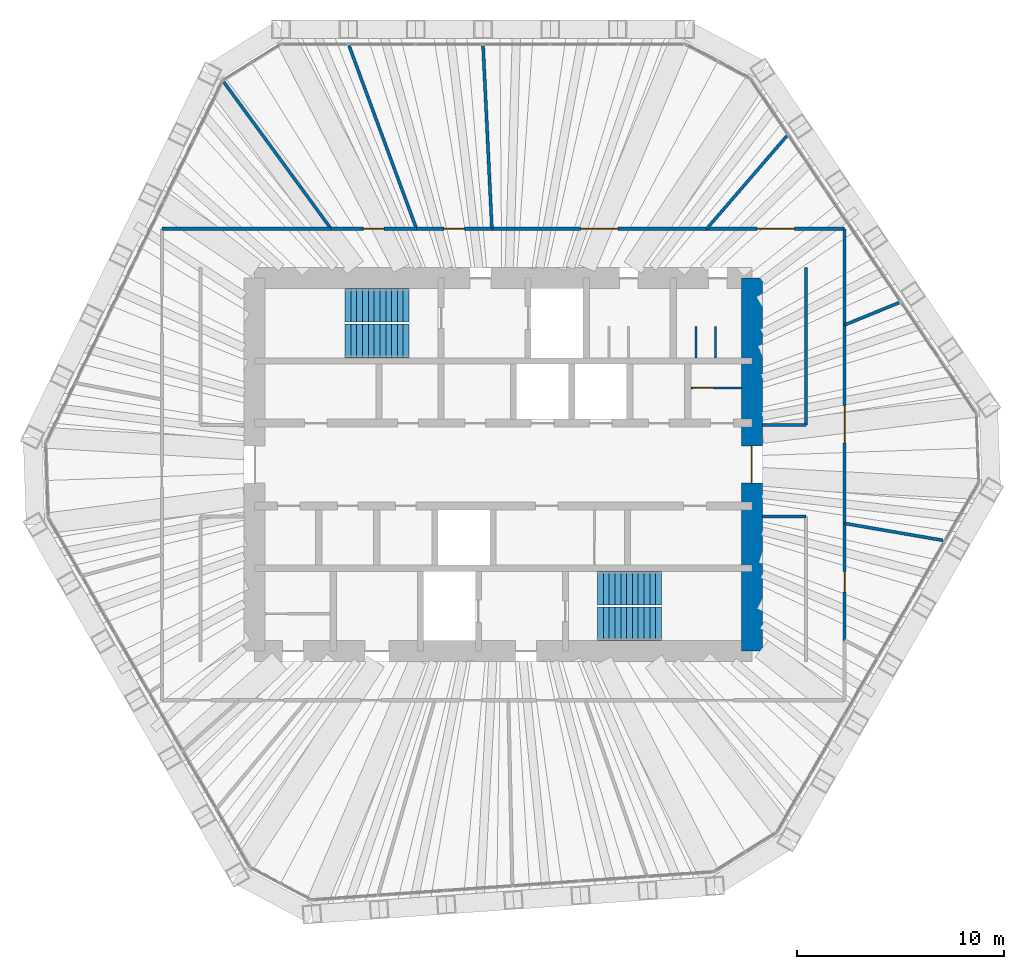
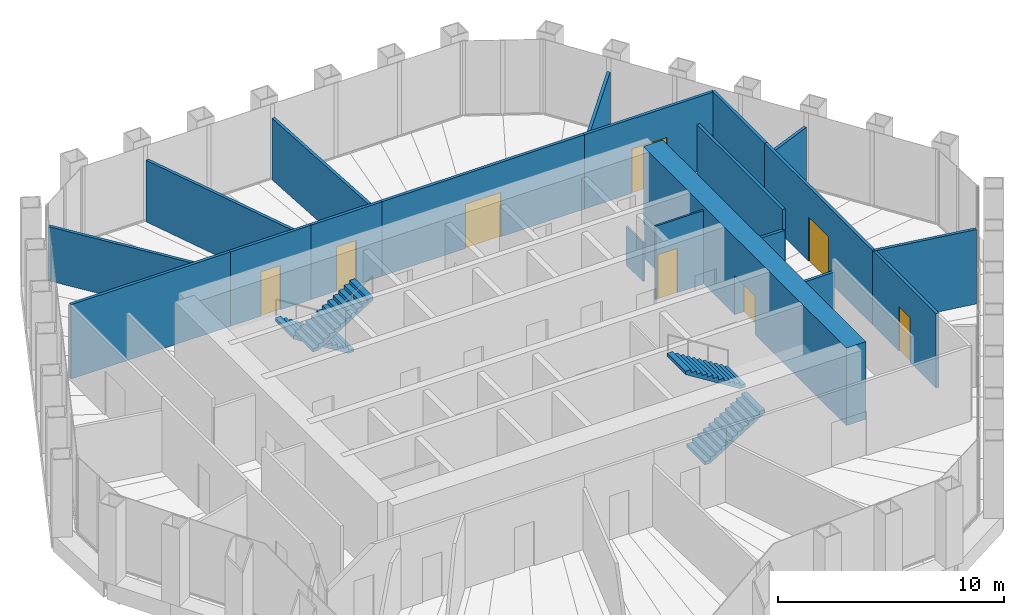
# One storey, part 13 of 14: 21 walls, 8 doors, 4 stair flights, 8 openings, 2 elements without a shape of their own.
"""IFC4 building model written with IfcOpenShell, lengths in metres."""

from ifc_helpers import new_model, si_unit, direction, frame, frame_2d, origin, place, context, subcontext, project, spatial, polyline, rectangle, outline, extrude, material, layer, layer_set, type_object, element, fill, aggregate, save


model = new_model("IFC4")

# Units and contexts
model_context = context("Model", 3, precision=1e-05, world=origin(), true_north=direction((0.0, 1.0)))
body_context = subcontext(model_context, "Body", "Model", "MODEL_VIEW")
ifc_project = project(units=[si_unit("LENGTHUNIT", "METRE"), si_unit("AREAUNIT", "SQUARE_METRE"), si_unit("VOLUMEUNIT", "CUBIC_METRE"), si_unit("PLANEANGLEUNIT", "RADIAN"), si_unit("MASSUNIT", "GRAM", prefix="KILO")], contexts=[model_context])

# Site, building, storey
site_placement = place(None, origin())
site = spatial("IfcSite", under=ifc_project, at=site_placement, CompositionType="ELEMENT")
building_placement = place(site_placement, origin())
building = spatial("IfcBuilding", under=site, at=building_placement, Name="Qingtian Harvest Tower", CompositionType="ELEMENT")
storey_placement = place(building_placement, frame((0.0, 0.0, 266.199951171875)))
storey = spatial("IfcBuildingStorey", under=building, at=storey_placement, Name="L58", CompositionType="ELEMENT", Elevation=266.199951171875)

# Wall, opening, door
ifc_material_1 = material(Name="Concrete fc' 70 MPa", Category="concrete")
ifc_layer_1 = layer(ifc_material_1, 1.0)
ifc_layer_set_1 = layer_set([ifc_layer_1], Name="Core wall RC3 1000")
wall_type_1 = type_object("IfcWallType", Name="Core wall RC3 1000", PredefinedType="SHEAR", material=ifc_layer_set_1)
wall_1_placement = place(storey_placement, frame((12.0, -9.0, 0.0), z_axis=(0.0, 0.0, 1.0), x_axis=(0.0, 1.0, 0.0)))
wall_1 = element("IfcWall", 1, at=wall_1_placement, inside=storey, type_object=wall_type_1, Name="Core wall CE L58", PredefinedType="SHEAR", context=body_context, shape_type="SweptSolid", body=[
    extrude(rectangle(XDim=18.0, YDim=1.0, at=frame_2d((9.0, 0.0))), origin(), (0.0, 0.0, 1.0), 4.199951171875),
])
opening_1_placement = place(wall_1_placement, frame((8.10009765625, 0.0, 0.0)))
opening_1 = element("IfcOpeningElement", 2, at=opening_1_placement, cuts=wall_1, Name="Opening FD2", PredefinedType="OPENING", context=body_context, shape_type="SweptSolid", body=[
    extrude(rectangle(XDim=1.800048828125, YDim=2.10009765625, at=frame_2d((0.89990234375, 1.050048828125))), frame((0.0, 0.510009765625, 0.0), z_axis=(0.0, -1.0, 0.0), x_axis=(1.0, 0.0, 0.0)), (0.0, 0.0, 1.0), 1.02001953125),
])
ifc_material_2 = material(Name="Steel-faced door leaf", Category="steel")
door_type_1 = type_object("IfcDoorType", Name="Fire door FD2 double 1 HR", OperationType="DOUBLE_DOOR_DOUBLE_SWING", PredefinedType="DOOR", material=ifc_material_2)
door_1_placement = place(opening_1_placement, origin())
door_1 = element("IfcDoor", 3, at=door_1_placement, inside=storey, type_object=door_type_1, Name="LOBBY-E door L58", OperationType="DOUBLE_DOOR_DOUBLE_SWING", OverallHeight=2.10009765625, OverallWidth=1.800048828125, PredefinedType="DOOR", context=body_context, shape_type="SweptSolid", body=[
    extrude(rectangle(XDim=1.800048828125, YDim=2.10009765625, at=frame_2d((0.89990234375, 1.050048828125))), frame((0.0, 0.02490234375, 0.0), z_axis=(0.0, -1.0, 0.0), x_axis=(1.0, 0.0, 0.0)), (0.0, 0.0, 1.0), 0.050048828125),
])
fill(opening_1, door_1)

# Walls
ifc_material_3 = material(Name="Gypsum board on steel studs", Category="steel")
ifc_layer_2 = layer(ifc_material_3, 0.14990234375)
ifc_layer_set_2 = layer_set([ifc_layer_2], Name="Partition PT1 150")
wall_type_2 = type_object("IfcWallType", Name="Partition PT1 150", PredefinedType="PARTITIONING", material=ifc_layer_set_2)
wall_2_placement = place(storey_placement, frame((-16.47509765625, 11.375, 0.0), z_axis=(0.0, 0.0, 1.0), x_axis=(1.0, 0.0, 0.0)))
element("IfcWall", 4, at=wall_2_placement, inside=storey, type_object=wall_type_2, Name="Workplace zone wall L58", PredefinedType="PARTITIONING", context=body_context, shape_type="SweptSolid", body=[
    extrude(rectangle(XDim=8.162841796875, YDim=0.14990234375, at=frame_2d((4.08154296875, 0.0))), origin(), (0.0, 0.0, 1.0), 4.030029296875),
])
wall_3_placement = place(storey_placement, frame((-13.486083984375, 18.455322265625, 0.0), z_axis=(0.0, 0.0, 1.0), x_axis=(0.589997742419, -0.807404894672, 0.0)))
element("IfcWall", 5, at=wall_3_placement, inside=storey, type_object=wall_type_2, Name="Store room wall L58", PredefinedType="PARTITIONING", context=body_context, shape_type="SweptSolid", body=[
    extrude(rectangle(XDim=8.769287109375, YDim=0.14990234375, at=frame_2d((4.384765625, 0.0))), origin(), (0.0, 0.0, 1.0), 2.929931640625),
])

# Wall, opening, door
wall_4_placement = place(storey_placement, frame((-8.312255859375, 11.375, 0.0), z_axis=(0.0, 0.0, 1.0), x_axis=(1.0, 0.0, 0.0)))
wall_4 = element("IfcWall", 6, at=wall_4_placement, inside=storey, type_object=wall_type_2, Name="Store room wall L58", PredefinedType="PARTITIONING", context=body_context, shape_type="SweptSolid", body=[
    extrude(rectangle(XDim=4.1240234375, YDim=0.14990234375, at=frame_2d((2.06201171875, 0.0))), origin(), (0.0, 0.0, 1.0), 4.030029296875),
])
opening_2_placement = place(wall_4_placement, frame((1.56201171875, 0.0, 0.0)))
opening_2 = element("IfcOpeningElement", 7, at=opening_2_placement, cuts=wall_4, Name="Opening D2", PredefinedType="OPENING", context=body_context, shape_type="SweptSolid", body=[
    extrude(rectangle(XDim=1.0, YDim=2.39990234375, at=frame_2d((0.5, 1.199951171875))), frame((0.0, 0.0849609375, 0.0), z_axis=(0.0, -1.0, 0.0), x_axis=(1.0, 0.0, 0.0)), (0.0, 0.0, 1.0), 0.169921875),
])
ifc_material_4 = material(Name="Laminated timber door leaf", Category="wood")
door_type_2 = type_object("IfcDoorType", Name="Room door D2 single", OperationType="SINGLE_SWING_LEFT", PredefinedType="DOOR", material=ifc_material_4)
door_2_placement = place(opening_2_placement, origin())
door_2 = element("IfcDoor", 8, at=door_2_placement, inside=storey, type_object=door_type_2, Name="Store room door L58", OperationType="SINGLE_SWING_LEFT", OverallHeight=2.39990234375, OverallWidth=1.0, PredefinedType="DOOR", context=body_context, shape_type="SweptSolid", body=[
    extrude(rectangle(XDim=1.0, YDim=2.39990234375, at=frame_2d((0.5, 1.199951171875))), frame((0.0, 0.02490234375, 0.0), z_axis=(0.0, -1.0, 0.0), x_axis=(1.0, 0.0, 0.0)), (0.0, 0.0, 1.0), 0.050048828125),
])
fill(opening_2, door_2)

# Wall
wall_5_placement = place(storey_placement, frame((-7.439697265625, 20.2060546875, 0.0), z_axis=(0.0, 0.0, 1.0), x_axis=(0.345510588088, -0.938414851502, 0.0)))
element("IfcWall", 9, at=wall_5_placement, inside=storey, type_object=wall_type_2, Name="Quiet room wall L58", PredefinedType="PARTITIONING", context=body_context, shape_type="SweptSolid", body=[
    extrude(rectangle(XDim=9.41064453125, YDim=0.14990234375, at=frame_2d((4.705322265625, 0.0))), origin(), (0.0, 0.0, 1.0), 3.330078125),
])

# Wall, opening, door
wall_6_placement = place(storey_placement, frame((-4.188232421875, 11.375, 0.0), z_axis=(0.0, 0.0, 1.0), x_axis=(1.0, 0.0, 0.0)))
wall_6 = element("IfcWall", 10, at=wall_6_placement, inside=storey, type_object=wall_type_2, Name="Quiet room wall L58", PredefinedType="PARTITIONING", context=body_context, shape_type="SweptSolid", body=[
    extrude(rectangle(XDim=3.64013671875, YDim=0.14990234375, at=frame_2d((1.820068359375, 0.0))), origin(), (0.0, 0.0, 1.0), 4.030029296875),
])
opening_3_placement = place(wall_6_placement, frame((1.320068359375, 0.0, 0.0)))
opening_3 = element("IfcOpeningElement", 11, at=opening_3_placement, cuts=wall_6, Name="Opening D2", PredefinedType="OPENING", context=body_context, shape_type="SweptSolid", body=[
    extrude(rectangle(XDim=1.0, YDim=2.39990234375, at=frame_2d((0.5, 1.199951171875))), frame((0.0, 0.0849609375, 0.0), z_axis=(0.0, -1.0, 0.0), x_axis=(1.0, 0.0, 0.0)), (0.0, 0.0, 1.0), 0.169921875),
])
door_3_placement = place(opening_3_placement, origin())
door_3 = element("IfcDoor", 12, at=door_3_placement, inside=storey, type_object=door_type_2, Name="Quiet room door L58", OperationType="SINGLE_SWING_LEFT", OverallHeight=2.39990234375, OverallWidth=1.0, PredefinedType="DOOR", context=body_context, shape_type="SweptSolid", body=[
    extrude(rectangle(XDim=1.0, YDim=2.39990234375, at=frame_2d((0.5, 1.199951171875))), frame((0.0, 0.02490234375, 0.0), z_axis=(0.0, -1.0, 0.0), x_axis=(1.0, 0.0, 0.0)), (0.0, 0.0, 1.0), 0.050048828125),
])
fill(opening_3, door_3)

# Wall
wall_7_placement = place(storey_placement, frame((-0.973388671875, 20.2001953125, 0.0), z_axis=(0.0, 0.0, 1.0), x_axis=(0.048134910622, -0.998840843368, 0.0)))
element("IfcWall", 13, at=wall_7_placement, inside=storey, type_object=wall_type_2, Name="Workplace zone wall L58", PredefinedType="PARTITIONING", context=body_context, shape_type="SweptSolid", body=[
    extrude(rectangle(XDim=8.83544921875, YDim=0.14990234375, at=frame_2d((4.417724609375, 0.0))), origin(), (0.0, 0.0, 1.0), 3.330078125),
])

# Wall, opening, door
wall_8_placement = place(storey_placement, frame((-0.548095703125, 11.375, 0.0), z_axis=(0.0, 0.0, 1.0), x_axis=(1.0, 0.0, 0.0)))
wall_8 = element("IfcWall", 14, at=wall_8_placement, inside=storey, type_object=wall_type_2, Name="Workplace zone wall L58", PredefinedType="PARTITIONING", context=body_context, shape_type="SweptSolid", body=[
    extrude(rectangle(XDim=10.364501953125, YDim=0.14990234375, at=frame_2d((5.18212890625, 0.0))), origin(), (0.0, 0.0, 1.0), 4.030029296875),
])
opening_4_placement = place(wall_8_placement, frame((4.2822265625, 0.0, 0.0)))
opening_4 = element("IfcOpeningElement", 15, at=opening_4_placement, cuts=wall_8, Name="Opening D3", PredefinedType="OPENING", context=body_context, shape_type="SweptSolid", body=[
    extrude(rectangle(XDim=1.800048828125, YDim=2.39990234375, at=frame_2d((0.89990234375, 1.199951171875))), frame((0.0, 0.0849609375, 0.0), z_axis=(0.0, -1.0, 0.0), x_axis=(1.0, 0.0, 0.0)), (0.0, 0.0, 1.0), 0.169921875),
])
ifc_material_5 = material(Name="Laminated timber door leaf", Category="wood")
door_type_3 = type_object("IfcDoorType", Name="Room door D3 double", OperationType="DOUBLE_DOOR_DOUBLE_SWING", PredefinedType="DOOR", material=ifc_material_5)
door_4_placement = place(opening_4_placement, origin())
door_4 = element("IfcDoor", 16, at=door_4_placement, inside=storey, type_object=door_type_3, Name="Workplace zone door L58", OperationType="DOUBLE_DOOR_DOUBLE_SWING", OverallHeight=2.39990234375, OverallWidth=1.800048828125, PredefinedType="DOOR", context=body_context, shape_type="SweptSolid", body=[
    extrude(rectangle(XDim=1.800048828125, YDim=2.39990234375, at=frame_2d((0.89990234375, 1.199951171875))), frame((0.0, 0.02490234375, 0.0), z_axis=(0.0, -1.0, 0.0), x_axis=(1.0, 0.0, 0.0)), (0.0, 0.0, 1.0), 0.050048828125),
])
fill(opening_4, door_4)

# Wall
wall_9_placement = place(storey_placement, frame((13.678466796875, 15.850341796875, 0.0), z_axis=(0.0, 0.0, 1.0), x_axis=(-0.653328423077, -0.757074614288, 0.0)))
element("IfcWall", 17, at=wall_9_placement, inside=storey, type_object=wall_type_2, Name="Meeting room wall L58", PredefinedType="PARTITIONING", context=body_context, shape_type="SweptSolid", body=[
    extrude(rectangle(XDim=5.911376953125, YDim=0.14990234375, at=frame_2d((2.95556640625, 0.0))), origin(), (0.0, 0.0, 1.0), 3.330078125),
])

# Wall, opening, door
wall_10_placement = place(storey_placement, frame((9.81640625, 11.375, 0.0), z_axis=(0.0, 0.0, 1.0), x_axis=(1.0, 0.0, 0.0)))
wall_10 = element("IfcWall", 18, at=wall_10_placement, inside=storey, type_object=wall_type_2, Name="Meeting room wall L58", PredefinedType="PARTITIONING", context=body_context, shape_type="SweptSolid", body=[
    extrude(rectangle(XDim=6.65869140625, YDim=0.14990234375, at=frame_2d((3.329345703125, 0.0))), origin(), (0.0, 0.0, 1.0), 4.030029296875),
])
opening_5_placement = place(wall_10_placement, frame((2.42919921875, 0.0, 0.0)))
opening_5 = element("IfcOpeningElement", 19, at=opening_5_placement, cuts=wall_10, Name="Opening D3", PredefinedType="OPENING", context=body_context, shape_type="SweptSolid", body=[
    extrude(rectangle(XDim=1.800048828125, YDim=2.39990234375, at=frame_2d((0.89990234375, 1.199951171875))), frame((0.0, 0.0849609375, 0.0), z_axis=(0.0, -1.0, 0.0), x_axis=(1.0, 0.0, 0.0)), (0.0, 0.0, 1.0), 0.169921875),
])
door_5_placement = place(opening_5_placement, origin())
door_5 = element("IfcDoor", 20, at=door_5_placement, inside=storey, type_object=door_type_3, Name="Meeting room door L58", OperationType="DOUBLE_DOOR_DOUBLE_SWING", OverallHeight=2.39990234375, OverallWidth=1.800048828125, PredefinedType="DOOR", context=body_context, shape_type="SweptSolid", body=[
    extrude(rectangle(XDim=1.800048828125, YDim=2.39990234375, at=frame_2d((0.89990234375, 1.199951171875))), frame((0.0, 0.02490234375, 0.0), z_axis=(0.0, -1.0, 0.0), x_axis=(1.0, 0.0, 0.0)), (0.0, 0.0, 1.0), 0.050048828125),
])
fill(opening_5, door_5)

# Walls
wall_11_placement = place(storey_placement, frame((16.47509765625, 11.375, 0.0), z_axis=(0.0, 0.0, 1.0), x_axis=(0.0, -1.0, 0.0)))
element("IfcWall", 21, at=wall_11_placement, inside=storey, type_object=wall_type_2, Name="Meeting room wall L58", PredefinedType="PARTITIONING", context=body_context, shape_type="SweptSolid", body=[
    extrude(rectangle(XDim=4.638427734375, YDim=0.14990234375, at=frame_2d((2.3193359375, 0.0))), origin(), (0.0, 0.0, 1.0), 4.030029296875),
])
wall_12_placement = place(storey_placement, frame((19.10009765625, 7.81005859375, 0.0), z_axis=(0.0, 0.0, 1.0), x_axis=(-0.925593572601, -0.378518874509, 0.0)))
element("IfcWall", 22, at=wall_12_placement, inside=storey, type_object=wall_type_2, Name="Workplace zone wall L58", PredefinedType="PARTITIONING", context=body_context, shape_type="SweptSolid", body=[
    extrude(rectangle(XDim=2.8359375, YDim=0.14990234375, at=frame_2d((1.41796875, 0.0))), origin(), (0.0, 0.0, 1.0), 3.330078125),
])

# Wall, opening, door
wall_13_placement = place(storey_placement, frame((16.47509765625, 6.736572265625, 0.0), z_axis=(0.0, 0.0, 1.0), x_axis=(0.0, -1.0, 0.0)))
wall_13 = element("IfcWall", 23, at=wall_13_placement, inside=storey, type_object=wall_type_2, Name="Workplace zone wall L58", PredefinedType="PARTITIONING", context=body_context, shape_type="SweptSolid", body=[
    extrude(rectangle(XDim=9.578369140625, YDim=0.14990234375, at=frame_2d((4.7890625, 0.0))), origin(), (0.0, 0.0, 1.0), 4.030029296875),
])
opening_6_placement = place(wall_13_placement, frame((3.88916015625, 0.0, 0.0)))
opening_6 = element("IfcOpeningElement", 24, at=opening_6_placement, cuts=wall_13, Name="Opening D3", PredefinedType="OPENING", context=body_context, shape_type="SweptSolid", body=[
    extrude(rectangle(XDim=1.800048828125, YDim=2.39990234375, at=frame_2d((0.89990234375, 1.199951171875))), frame((0.0, 0.0849609375, 0.0), z_axis=(0.0, -1.0, 0.0), x_axis=(1.0, 0.0, 0.0)), (0.0, 0.0, 1.0), 0.169921875),
])
door_6_placement = place(opening_6_placement, origin())
door_6 = element("IfcDoor", 25, at=door_6_placement, inside=storey, type_object=door_type_3, Name="Workplace zone door L58", OperationType="DOUBLE_DOOR_DOUBLE_SWING", OverallHeight=2.39990234375, OverallWidth=1.800048828125, PredefinedType="DOOR", context=body_context, shape_type="SweptSolid", body=[
    extrude(rectangle(XDim=1.800048828125, YDim=2.39990234375, at=frame_2d((0.89990234375, 1.199951171875))), frame((0.0, 0.02490234375, 0.0), z_axis=(0.0, -1.0, 0.0), x_axis=(1.0, 0.0, 0.0)), (0.0, 0.0, 1.0), 0.050048828125),
])
fill(opening_6, door_6)

# Wall
wall_14_placement = place(storey_placement, frame((21.218994140625, -3.66015625, 0.0), z_axis=(0.0, 0.0, 1.0), x_axis=(-0.985444592587, 0.16999692627, 0.0)))
element("IfcWall", 26, at=wall_14_placement, inside=storey, type_object=wall_type_2, Name="Pantry wall L58", PredefinedType="PARTITIONING", context=body_context, shape_type="SweptSolid", body=[
    extrude(rectangle(XDim=4.81396484375, YDim=0.14990234375, at=frame_2d((2.406982421875, 0.0))), origin(), (0.0, 0.0, 1.0), 4.030029296875),
])

# Wall, opening, door
wall_15_placement = place(storey_placement, frame((16.47509765625, -2.841796875, 0.0), z_axis=(0.0, 0.0, 1.0), x_axis=(0.0, -1.0, 0.0)))
wall_15 = element("IfcWall", 27, at=wall_15_placement, inside=storey, type_object=wall_type_2, Name="Pantry wall L58", PredefinedType="PARTITIONING", context=body_context, shape_type="SweptSolid", body=[
    extrude(rectangle(XDim=5.64013671875, YDim=0.14990234375, at=frame_2d((2.820068359375, 0.0))), origin(), (0.0, 0.0, 1.0), 4.030029296875),
])
opening_7_placement = place(wall_15_placement, frame((2.320068359375, 0.0, 0.0)))
opening_7 = element("IfcOpeningElement", 28, at=opening_7_placement, cuts=wall_15, Name="Opening D2", PredefinedType="OPENING", context=body_context, shape_type="SweptSolid", body=[
    extrude(rectangle(XDim=1.0, YDim=2.39990234375, at=frame_2d((0.5, 1.199951171875))), frame((0.0, 0.0849609375, 0.0), z_axis=(0.0, -1.0, 0.0), x_axis=(1.0, 0.0, 0.0)), (0.0, 0.0, 1.0), 0.169921875),
])
door_7_placement = place(opening_7_placement, origin())
door_7 = element("IfcDoor", 29, at=door_7_placement, inside=storey, type_object=door_type_2, Name="Pantry door L58", OperationType="SINGLE_SWING_LEFT", OverallHeight=2.39990234375, OverallWidth=1.0, PredefinedType="DOOR", context=body_context, shape_type="SweptSolid", body=[
    extrude(rectangle(XDim=1.0, YDim=2.39990234375, at=frame_2d((0.5, 1.199951171875))), frame((0.0, 0.02490234375, 0.0), z_axis=(0.0, -1.0, 0.0), x_axis=(1.0, 0.0, 0.0)), (0.0, 0.0, 1.0), 0.050048828125),
])
fill(opening_7, door_7)

# Walls
wall_16_placement = place(storey_placement, frame((14.60009765625, 1.89990234375, 0.0), z_axis=(0.0, 0.0, 1.0), x_axis=(0.0, 1.0, 0.0)))
element("IfcWall", 30, at=wall_16_placement, inside=storey, type_object=wall_type_2, Name="Coffee point wall L58", PredefinedType="PARTITIONING", context=body_context, shape_type="SweptSolid", body=[
    extrude(rectangle(XDim=7.60009765625, YDim=0.14990234375, at=frame_2d((3.800048828125, 0.0))), origin(), (0.0, 0.0, 1.0), 4.030029296875),
])
wall_17_placement = place(storey_placement, frame((12.5, 1.89990234375, 0.0), z_axis=(0.0, 0.0, 1.0), x_axis=(1.0, 0.0, 0.0)))
element("IfcWall", 31, at=wall_17_placement, inside=storey, type_object=wall_type_2, Name="Coffee point wall L58", PredefinedType="PARTITIONING", context=body_context, shape_type="SweptSolid", body=[
    extrude(rectangle(XDim=2.10009765625, YDim=0.14990234375, at=frame_2d((1.050048828125, 0.0))), origin(), (0.0, 0.0, 1.0), 2.929931640625),
])
wall_18_placement = place(storey_placement, frame((12.5, -2.5, 0.0), z_axis=(0.0, 0.0, 1.0), x_axis=(1.0, 0.0, 0.0)))
element("IfcWall", 32, at=wall_18_placement, inside=storey, type_object=wall_type_2, Name="Print area wall L58", PredefinedType="PARTITIONING", context=body_context, shape_type="SweptSolid", body=[
    extrude(rectangle(XDim=2.10009765625, YDim=0.14990234375, at=frame_2d((1.050048828125, 0.0))), origin(), (0.0, 0.0, 1.0), 3.330078125),
])

# Wall, opening, door
ifc_material_6 = material(Name="Concrete block partition", Category="concrete")
ifc_layer_3 = layer(ifc_material_6, 0.10009765625)
ifc_layer_set_3 = layer_set([ifc_layer_3], Name="Store partition PT3 100")
wall_type_3 = type_object("IfcWallType", Name="Store partition PT3 100", PredefinedType="PARTITIONING", material=ifc_layer_set_3)
wall_19_placement = place(storey_placement, frame((9.050048828125, 3.699951171875, 0.0), z_axis=(0.0, 0.0, 1.0), x_axis=(1.0, 0.0, 0.0)))
wall_19 = element("IfcWall", 33, at=wall_19_placement, inside=storey, type_object=wall_type_3, Name="Filter plant room wall L58", PredefinedType="PARTITIONING", context=body_context, shape_type="SweptSolid", body=[
    extrude(rectangle(XDim=2.449951171875, YDim=0.10009765625, at=frame_2d((1.22509765625, 0.0))), origin(), (0.0, 0.0, 1.0), 3.97998046875),
])
opening_8_placement = place(wall_19_placement, frame((0.10009765625, 0.0, 0.0)))
opening_8 = element("IfcOpeningElement", 34, at=opening_8_placement, cuts=wall_19, Name="Opening D2", PredefinedType="OPENING", context=body_context, shape_type="SweptSolid", body=[
    extrude(rectangle(XDim=1.0, YDim=2.39990234375, at=frame_2d((0.5, 1.199951171875))), frame((0.0, 0.06005859375, 0.0), z_axis=(0.0, -1.0, 0.0), x_axis=(1.0, 0.0, 0.0)), (0.0, 0.0, 1.0), 0.1201171875),
])
door_8_placement = place(opening_8_placement, origin())
door_8 = element("IfcDoor", 35, at=door_8_placement, inside=storey, type_object=door_type_2, Name="Filter plant room door L58", OperationType="SINGLE_SWING_RIGHT", OverallHeight=2.39990234375, OverallWidth=1.0, PredefinedType="DOOR", context=body_context, shape_type="SweptSolid", body=[
    extrude(rectangle(XDim=1.0, YDim=2.39990234375, at=frame_2d((0.5, 1.199951171875))), frame((0.0, 0.02490234375, 0.0), z_axis=(0.0, -1.0, 0.0), x_axis=(1.0, 0.0, 0.0)), (0.0, 0.0, 1.0), 0.050048828125),
])
fill(opening_8, door_8)

# Walls
ifc_material_7 = material(Name="Compact laminate cubicle partition", Category="plastic")
ifc_layer_4 = layer(ifc_material_7, 0.10009765625)
ifc_layer_set_4 = layer_set([ifc_layer_4], Name="WC cubicle partition WP1 100")
wall_type_4 = type_object("IfcWallType", Name="WC cubicle partition WP1 100", PredefinedType="PARTITIONING", material=ifc_layer_set_4)
for number, where, z_axis, x_axis, name in (
    (36, (9.300048828125, 5.14990234375, 0.0), (0.0, 0.0, 1.0), (0.0, 1.0, 0.0), "WC cubicle partition WCF L58"),
    (37, (10.25, 5.14990234375, 0.0), (0.0, 0.0, 1.0), (0.0, 1.0, 0.0), "WC cubicle partition WCF L58"),
):
    element("IfcWall", number, at=place(storey_placement, frame(where, z_axis=z_axis, x_axis=x_axis)), inside=storey, type_object=wall_type_4, Name=name, PredefinedType="PARTITIONING", context=body_context, shape_type="SweptSolid", body=[
        extrude(rectangle(XDim=1.5, YDim=0.10009765625, at=frame_2d((0.75, 0.0))), origin(), (0.0, 0.0, 1.0), 2.10009765625),
    ])

# Stair, stair flights
ifc_material_8 = material(Name="Concrete fc' 35 MPa", Category="concrete")
stair_type = type_object("IfcStairType", Name="Special stair ST6 4200", PredefinedType="HALF_TURN_STAIR", material=ifc_material_8)
stair_1_placement = place(storey_placement, origin())
stair_1 = element("IfcStair", 38, at=stair_1_placement, inside=storey, type_object=stair_type, Name="Special stair S1 L58", PredefinedType="HALF_TURN_STAIR")
ifc_material_9 = material(Name="Concrete fc' 35 MPa", Category="concrete")
stair_flight_type = type_object("IfcStairFlightType", Name="Stair flight SF6 4200", PredefinedType="STRAIGHT", material=ifc_material_9)
stair_flight_1_placement = place(storey_placement, frame((-4.550048828125, 7.6875, 0.0), z_axis=(0.0, 0.0, 1.0), x_axis=(-1.0, 0.0, 0.0)))
stair_flight_1 = element("IfcStairFlight", 39, at=stair_flight_1_placement, type_object=stair_flight_type, Name="S1 flight 1", NumberOfRisers=12, NumberOfTreads=11, PredefinedType="STRAIGHT", RiserHeight=0.175, TreadLength=0.28, context=body_context, shape_type="SweptSolid", body=[
    extrude(outline(polyline([(0.0, 0.0), (0.0, 0.175048828125), (0.280029296875, 0.175048828125), (0.280029296875, 0.35009765625), (0.56005859375, 0.35009765625), (0.56005859375, 0.52490234375), (0.840087890625, 0.52490234375), (0.840087890625, 0.699951171875), (1.1201171875, 0.699951171875), (1.1201171875, 0.875), (1.39990234375, 0.875), (1.39990234375, 1.050048828125), (1.679931640625, 1.050048828125), (1.679931640625, 1.22509765625), (1.9599609375, 1.22509765625), (1.9599609375, 1.39990234375), (2.239990234375, 1.39990234375), (2.239990234375, 1.574951171875), (2.52001953125, 1.574951171875), (2.52001953125, 1.75), (2.800048828125, 1.75), (2.800048828125, 1.925048828125), (3.080078125, 1.925048828125), (3.080078125, 2.10009765625), (3.080078125, 1.748291015625), (0.28271484375, 0.0), (0.0, 0.0)])), frame((0.0, 0.8125, 0.0), z_axis=(0.0, -1.0, 0.0), x_axis=(1.0, 0.0, 0.0)), (0.0, 0.0, 1.0), 1.625),
])
stair_flight_2_placement = place(storey_placement, frame((-7.6298828125, 5.96240234375, 2.10009765625), z_axis=(0.0, 0.0, 1.0), x_axis=(1.0, 0.0, 0.0)))
stair_flight_2 = element("IfcStairFlight", 40, at=stair_flight_2_placement, type_object=stair_flight_type, Name="S1 flight 2", NumberOfRisers=12, NumberOfTreads=11, PredefinedType="STRAIGHT", RiserHeight=0.175, TreadLength=0.28, context=body_context, shape_type="SweptSolid", body=[
    extrude(outline(polyline([(0.0, 0.0), (0.0, 0.175048828125), (0.280029296875, 0.175048828125), (0.280029296875, 0.35009765625), (0.56005859375, 0.35009765625), (0.56005859375, 0.52490234375), (0.840087890625, 0.52490234375), (0.840087890625, 0.699951171875), (1.1201171875, 0.699951171875), (1.1201171875, 0.875), (1.39990234375, 0.875), (1.39990234375, 1.050048828125), (1.679931640625, 1.050048828125), (1.679931640625, 1.22509765625), (1.9599609375, 1.22509765625), (1.9599609375, 1.39990234375), (2.239990234375, 1.39990234375), (2.239990234375, 1.574951171875), (2.52001953125, 1.574951171875), (2.52001953125, 1.75), (2.800048828125, 1.75), (2.800048828125, 1.925048828125), (3.080078125, 1.925048828125), (3.080078125, 2.10009765625), (3.080078125, 1.748291015625), (0.28271484375, 0.0), (0.0, 0.0)])), frame((0.0, 0.8125, 0.0), z_axis=(0.0, -1.0, 0.0), x_axis=(1.0, 0.0, 0.0)), (0.0, 0.0, 1.0), 1.625),
])
aggregate(stair_1, [stair_flight_1, stair_flight_2])

stair_2_placement = place(storey_placement, origin())
stair_2 = element("IfcStair", 41, at=stair_2_placement, inside=storey, type_object=stair_type, Name="Special stair S2 L58", PredefinedType="HALF_TURN_STAIR")
stair_flight_3_placement = place(storey_placement, frame((4.550048828125, -7.6875, 0.0), z_axis=(0.0, 0.0, 1.0), x_axis=(1.0, 0.0, 0.0)))
stair_flight_3 = element("IfcStairFlight", 42, at=stair_flight_3_placement, type_object=stair_flight_type, Name="S2 flight 1", NumberOfRisers=12, NumberOfTreads=11, PredefinedType="STRAIGHT", RiserHeight=0.175, TreadLength=0.28, context=body_context, shape_type="SweptSolid", body=[
    extrude(outline(polyline([(0.0, 0.0), (0.0, 0.175048828125), (0.280029296875, 0.175048828125), (0.280029296875, 0.35009765625), (0.56005859375, 0.35009765625), (0.56005859375, 0.52490234375), (0.840087890625, 0.52490234375), (0.840087890625, 0.699951171875), (1.1201171875, 0.699951171875), (1.1201171875, 0.875), (1.39990234375, 0.875), (1.39990234375, 1.050048828125), (1.679931640625, 1.050048828125), (1.679931640625, 1.22509765625), (1.9599609375, 1.22509765625), (1.9599609375, 1.39990234375), (2.239990234375, 1.39990234375), (2.239990234375, 1.574951171875), (2.52001953125, 1.574951171875), (2.52001953125, 1.75), (2.800048828125, 1.75), (2.800048828125, 1.925048828125), (3.080078125, 1.925048828125), (3.080078125, 2.10009765625), (3.080078125, 1.748291015625), (0.28271484375, 0.0), (0.0, 0.0)])), frame((0.0, 0.8125, 0.0), z_axis=(0.0, -1.0, 0.0), x_axis=(1.0, 0.0, 0.0)), (0.0, 0.0, 1.0), 1.625),
])
stair_flight_4_placement = place(storey_placement, frame((7.6298828125, -5.96240234375, 2.10009765625), z_axis=(0.0, 0.0, 1.0), x_axis=(-1.0, 0.0, 0.0)))
stair_flight_4 = element("IfcStairFlight", 43, at=stair_flight_4_placement, type_object=stair_flight_type, Name="S2 flight 2", NumberOfRisers=12, NumberOfTreads=11, PredefinedType="STRAIGHT", RiserHeight=0.175, TreadLength=0.28, context=body_context, shape_type="SweptSolid", body=[
    extrude(outline(polyline([(0.0, 0.0), (0.0, 0.175048828125), (0.280029296875, 0.175048828125), (0.280029296875, 0.35009765625), (0.56005859375, 0.35009765625), (0.56005859375, 0.52490234375), (0.840087890625, 0.52490234375), (0.840087890625, 0.699951171875), (1.1201171875, 0.699951171875), (1.1201171875, 0.875), (1.39990234375, 0.875), (1.39990234375, 1.050048828125), (1.679931640625, 1.050048828125), (1.679931640625, 1.22509765625), (1.9599609375, 1.22509765625), (1.9599609375, 1.39990234375), (2.239990234375, 1.39990234375), (2.239990234375, 1.574951171875), (2.52001953125, 1.574951171875), (2.52001953125, 1.75), (2.800048828125, 1.75), (2.800048828125, 1.925048828125), (3.080078125, 1.925048828125), (3.080078125, 2.10009765625), (3.080078125, 1.748291015625), (0.28271484375, 0.0), (0.0, 0.0)])), frame((0.0, 0.8125, 0.0), z_axis=(0.0, -1.0, 0.0), x_axis=(1.0, 0.0, 0.0)), (0.0, 0.0, 1.0), 1.625),
])
aggregate(stair_2, [stair_flight_3, stair_flight_4])

save(model, "model.ifc")
